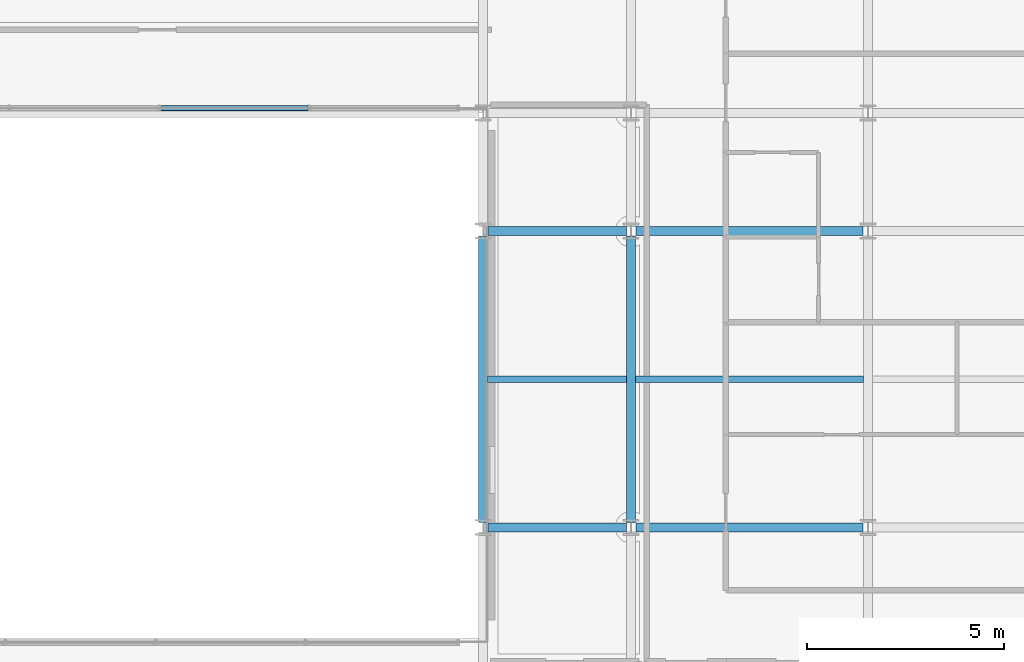
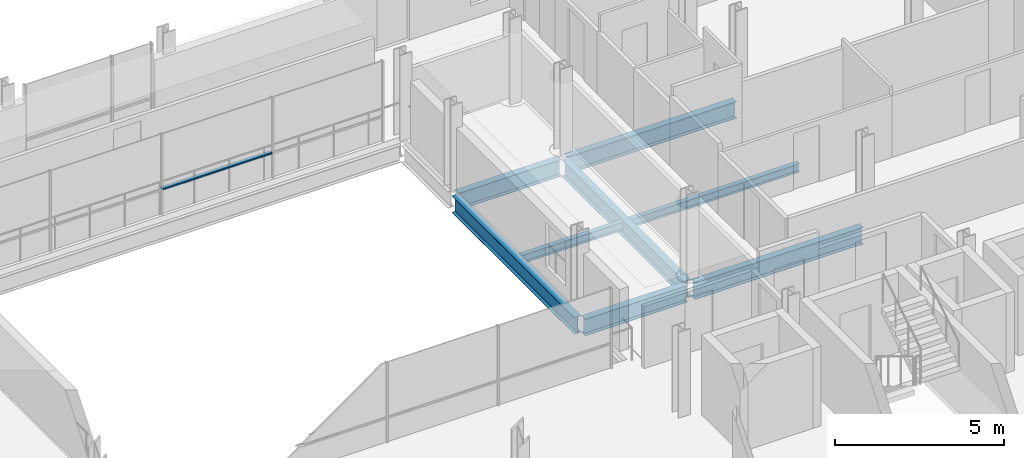
# One storey, part 18 of 38: 8 beams, 1 member, 1 element without a shape of its own.
"""IFC4 building model written with IfcOpenShell, lengths in metres."""

from ifc_helpers import new_model, si_unit, direction, frame, origin, origin_2d, place, context, subcontext, project, spatial, hollow_rectangle, i_section, extrude, material, layer, layer_set, material_profile, profile_set, type_object, element, aggregate, save


model = new_model("IFC4")

# Units and contexts
model_context = context("Model", 3, precision=1e-05, world=origin(), true_north=direction((0.0, 1.0)))
body_context = subcontext(model_context, "Body", "Model", "MODEL_VIEW")
ifc_project = project(units=[si_unit("LENGTHUNIT", "METRE"), si_unit("AREAUNIT", "SQUARE_METRE"), si_unit("VOLUMEUNIT", "CUBIC_METRE"), si_unit("PLANEANGLEUNIT", "RADIAN"), si_unit("MASSUNIT", "GRAM", prefix="KILO")], contexts=[model_context])

# Site, building, storey
site_placement = place(None, origin())
site = spatial("IfcSite", under=ifc_project, at=site_placement, CompositionType="ELEMENT")
building_placement = place(site_placement, origin())
building = spatial("IfcBuilding", under=site, at=building_placement, Name="Brevholm Reach", CompositionType="ELEMENT")
storey_placement = place(building_placement, frame((0.0, 0.0, 141.800048828125)))
storey = spatial("IfcBuildingStorey", under=building, at=storey_placement, Name="L42", CompositionType="ELEMENT", Elevation=141.800048828125)

# Beams
ifc_material_1 = material(Name="Structural Steel S355J2", Category="steel")
ifc_material_profile_1 = material_profile(ifc_material_1, i_section(OverallWidth=0.1650390625, OverallDepth=0.303466796875, WebThickness=0.006103515625, FlangeThickness=0.01025390625, FilletRadius=0.0087890625, at=origin_2d()), Name="UKB 305x165x40")
ifc_profile_set_1 = profile_set([ifc_material_profile_1], Name="Structural Steel S355J2")
beam_type_1 = type_object("IfcBeamType", Name="BM-B305", PredefinedType="BEAM", material=ifc_profile_set_1)
beam_1_placement = place(storey_placement, frame((38.364501953125, 19.75, -0.371826171875), z_axis=(1.0, 0.0, 0.0), x_axis=(0.0, 1.0, 0.0)))
element("IfcBeam", 1, at=beam_1_placement, inside=storey, type_object=beam_type_1, Name="L42 Composite Secondary Floor Beam", PredefinedType="BEAM", context=body_context, shape_type="SweptSolid", body=[
    extrude(i_section(OverallWidth=0.1650390625, OverallDepth=0.303466796875, WebThickness=0.006103515625, FlangeThickness=0.01025390625, FilletRadius=0.0087890625, at=origin_2d()), origin(), (0.0, 0.0, 1.0), 3.52099609375),
])
beam_2_placement = place(storey_placement, frame((42.114501953125, 19.75, -0.371826171875), z_axis=(1.0, 0.0, 0.0), x_axis=(0.0, 1.0, 0.0)))
element("IfcBeam", 2, at=beam_2_placement, inside=storey, type_object=beam_type_1, Name="L42 Composite Secondary Floor Beam", PredefinedType="BEAM", context=body_context, shape_type="SweptSolid", body=[
    extrude(i_section(OverallWidth=0.1650390625, OverallDepth=0.303466796875, WebThickness=0.006103515625, FlangeThickness=0.01025390625, FilletRadius=0.0087890625, at=origin_2d()), origin(), (0.0, 0.0, 1.0), 5.77099609375),
])
ifc_material_2 = material(Name="Structural Steel S355J2", Category="steel")
ifc_material_profile_2 = material_profile(ifc_material_2, i_section(OverallWidth=0.22900390625, OverallDepth=0.6123046875, WebThickness=0.011962890625, FlangeThickness=0.01953125, FilletRadius=0.0126953125, at=origin_2d()), Name="UKB 610x229x125")
ifc_profile_set_2 = profile_set([ifc_material_profile_2], Name="Structural Steel S355J2")
beam_type_2 = type_object("IfcBeamType", Name="BM-SP610", PredefinedType="SPANDREL", material=ifc_profile_set_2)
beam_3_placement = place(storey_placement, frame((38.3701171875, 16.0, -0.526123046875), z_axis=(1.0, 0.0, 0.0), x_axis=(0.0, 1.0, 0.0)))
element("IfcBeam", 3, at=beam_3_placement, inside=storey, type_object=beam_type_2, Name="L42 SP-01 Framing Beam", PredefinedType="SPANDREL", context=body_context, shape_type="SweptSolid", body=[
    extrude(i_section(OverallWidth=0.22900390625, OverallDepth=0.6123046875, WebThickness=0.011962890625, FlangeThickness=0.01953125, FilletRadius=0.0126953125, at=origin_2d()), origin(), (0.0, 0.0, 1.0), 3.509765625),
])
beam_4_placement = place(storey_placement, frame((42.1201171875, 16.0, -0.526123046875), z_axis=(1.0, 0.0, 0.0), x_axis=(0.0, 1.0, 0.0)))
element("IfcBeam", 4, at=beam_4_placement, inside=storey, type_object=beam_type_2, Name="L42 SP-01 Framing Beam", PredefinedType="SPANDREL", context=body_context, shape_type="SweptSolid", body=[
    extrude(i_section(OverallWidth=0.22900390625, OverallDepth=0.6123046875, WebThickness=0.011962890625, FlangeThickness=0.01953125, FilletRadius=0.0126953125, at=origin_2d()), origin(), (0.0, 0.0, 1.0), 5.759765625),
])
beam_5_placement = place(storey_placement, frame((38.3701171875, 23.5, -0.526123046875), z_axis=(1.0, 0.0, 0.0), x_axis=(0.0, 1.0, 0.0)))
element("IfcBeam", 5, at=beam_5_placement, inside=storey, type_object=beam_type_2, Name="L42 SP-01 Framing Beam", PredefinedType="SPANDREL", context=body_context, shape_type="SweptSolid", body=[
    extrude(i_section(OverallWidth=0.22900390625, OverallDepth=0.6123046875, WebThickness=0.011962890625, FlangeThickness=0.01953125, FilletRadius=0.0126953125, at=origin_2d()), origin(), (0.0, 0.0, 1.0), 3.509765625),
])
beam_6_placement = place(storey_placement, frame((42.1201171875, 23.5, -0.526123046875), z_axis=(1.0, 0.0, 0.0), x_axis=(0.0, 1.0, 0.0)))
element("IfcBeam", 6, at=beam_6_placement, inside=storey, type_object=beam_type_2, Name="L42 SP-01 Framing Beam", PredefinedType="SPANDREL", context=body_context, shape_type="SweptSolid", body=[
    extrude(i_section(OverallWidth=0.22900390625, OverallDepth=0.6123046875, WebThickness=0.011962890625, FlangeThickness=0.01953125, FilletRadius=0.0126953125, at=origin_2d()), origin(), (0.0, 0.0, 1.0), 5.759765625),
])
for number, where, z_axis, x_axis, name in (
    (7, (38.25, 16.1201171875, -0.526123046875), (0.0, 1.0, 0.0), (-1.0, 0.0, 0.0), "L42 SP-01 Framing Beam"),
    (8, (42.0, 16.1201171875, -0.526123046875), (0.0, 1.0, 0.0), (-1.0, 0.0, 0.0), "L42 SP-01 Framing Beam"),
):
    element("IfcBeam", number, at=place(storey_placement, frame(where, z_axis=z_axis, x_axis=x_axis)), inside=storey, type_object=beam_type_2, Name=name, PredefinedType="SPANDREL", context=body_context, shape_type="SweptSolid", body=[
        extrude(i_section(OverallWidth=0.22900390625, OverallDepth=0.6123046875, WebThickness=0.011962890625, FlangeThickness=0.01953125, FilletRadius=0.0126953125, at=origin_2d()), origin(), (0.0, 0.0, 1.0), 7.259765625),
    ])

# Curtain wall, member
ifc_material_3 = material(Name="Dark Anodised Aluminium 6063-T6 and Solar-Control Glass", Category="aluminium")
ifc_layer = layer(ifc_material_3, 0.139892578125)
ifc_layer_set = layer_set([ifc_layer], Name="Dark Anodised Aluminium 6063-T6 and Solar-Control Glass")
curtain_wall_type = type_object("IfcCurtainWallType", Name="CW-02", PredefinedType="NOTDEFINED", material=ifc_layer_set)
curtain_wall_placement = place(storey_placement, origin())
curtain_wall = element("IfcCurtainWall", 9, at=curtain_wall_placement, inside=storey, type_object=curtain_wall_type, Name="L42 Curtain Wall CW-02", PredefinedType="NOTDEFINED")
ifc_material_4 = material(Name="Dark Anodised Aluminium 6063-T6", Category="aluminium")
ifc_material_profile_3 = material_profile(ifc_material_4, hollow_rectangle(XDim=0.06005859375, YDim=0.139892578125, WallThickness=0.0048828125, InnerFilletRadius=0.0048828125, OuterFilletRadius=0.010009765625, at=origin_2d()), Name="RHS 140x60x5")
ifc_profile_set_3 = profile_set([ifc_material_profile_3], Name="Dark Anodised Aluminium 6063-T6")
member_type = type_object("IfcMemberType", Name="CWT-140", PredefinedType="NOTDEFINED", material=ifc_profile_set_3)
member_placement = place(storey_placement, frame((33.820068359375, 26.6201171875, 0.89990234375), z_axis=(-1.0, 0.0, 0.0), x_axis=(0.0, 0.0, 1.0)))
member = element("IfcMember", 10, at=member_placement, type_object=member_type, Name="CT-140 Transom 2.1", ObjectType="TRANSOM", PredefinedType="USERDEFINED", context=body_context, shape_type="SweptSolid", body=[
    extrude(hollow_rectangle(XDim=0.06005859375, YDim=0.139892578125, WallThickness=0.0048828125, InnerFilletRadius=0.0048828125, OuterFilletRadius=0.010009765625, at=origin_2d()), origin(), (0.0, 0.0, 1.0), 3.739990234375),
])
aggregate(curtain_wall, [member])

save(model, "model.ifc")
